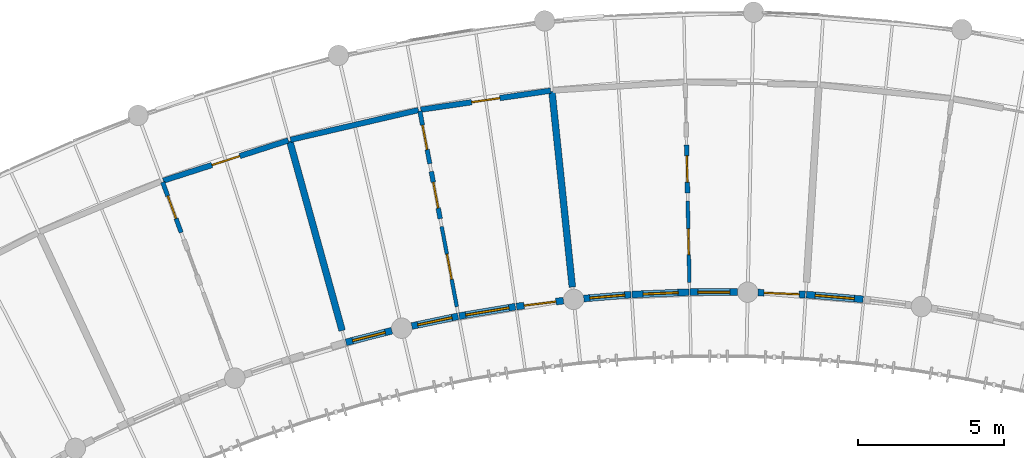
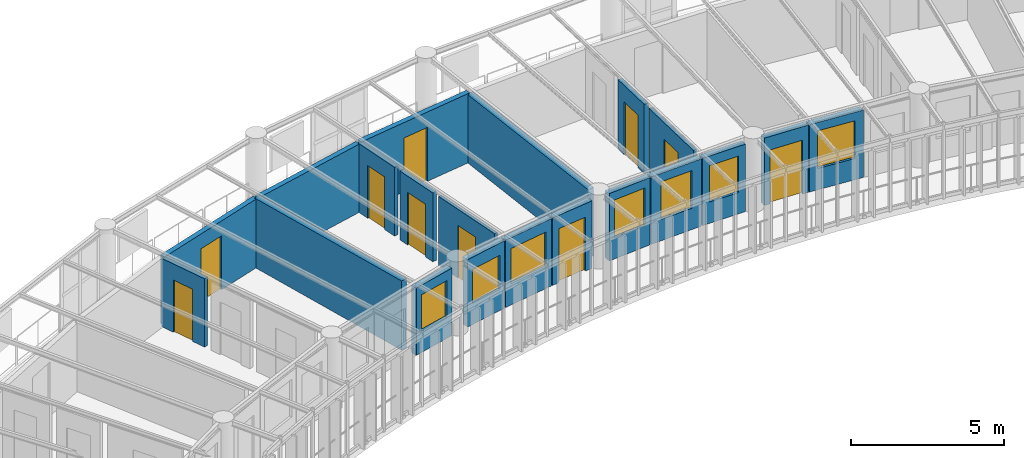
# One storey, part 106 of 137: 20 walls, 10 doors, 7 windows, 17 openings.
"""IFC4 building model written with IfcOpenShell, lengths in metres."""

from ifc_helpers import new_model, si_unit, direction, frame, frame_2d, origin, place, context, subcontext, project, spatial, rectangle, extrude, material, layer, layer_set, type_object, element, fill, save


model = new_model("IFC4")

# Units and contexts
model_context = context("Model", 3, precision=1e-05, world=origin(), true_north=direction((0.0, 1.0)))
body_context = subcontext(model_context, "Body", "Model", "MODEL_VIEW")
ifc_project = project(units=[si_unit("LENGTHUNIT", "METRE"), si_unit("AREAUNIT", "SQUARE_METRE"), si_unit("VOLUMEUNIT", "CUBIC_METRE"), si_unit("PLANEANGLEUNIT", "RADIAN"), si_unit("MASSUNIT", "GRAM", prefix="KILO"), si_unit("POWERUNIT", "WATT"), si_unit("THERMODYNAMICTEMPERATUREUNIT", "KELVIN")], contexts=[model_context])

# Site, building, storey
site_placement = place(None, origin())
site = spatial("IfcSite", under=ifc_project, at=site_placement, CompositionType="ELEMENT")
building_placement = place(site_placement, origin())
building = spatial("IfcBuilding", under=site, at=building_placement, Name="Ruvembo Vaulted Housing Court", CompositionType="ELEMENT")
storey_placement = place(building_placement, frame((0.0, 0.0, 4.5)))
storey = spatial("IfcBuildingStorey", under=building, at=storey_placement, Name="L01", CompositionType="ELEMENT", Elevation=4.5)

# Wall, opening, door
ifc_material_1 = material(Name="Concrete Blockwork 190", Category="masonry")
ifc_layer_1 = layer(ifc_material_1, 0.18994140625, Name="Concrete Blockwork 190")
ifc_layer_set_1 = layer_set([ifc_layer_1], Name="Concrete Blockwork 190")
wall_type_1 = type_object("IfcWallType", Name="WL-CORR-190", PredefinedType="SOLIDWALL", material=ifc_layer_set_1)
wall_1_placement = place(storey_placement, frame((97.962890625, 101.811767578125, 0.0), z_axis=(0.0, 0.0, 1.0), x_axis=(0.95193992138, 0.306284812035, 0.0)))
wall_1 = element("IfcWall", 1, at=wall_1_placement, inside=storey, type_object=wall_type_1, Name="L01 Suite SC3-L01-U2 Entrance WL-INT-L01-00447", PredefinedType="SOLIDWALL", context=body_context, shape_type="SweptSolid", body=[
    extrude(rectangle(XDim=4.501220703125, YDim=0.18994140625, at=frame_2d((2.25048828125, 0.0))), origin(), (0.0, 0.0, 1.0), 2.741943359375),
])
opening_1_placement = place(wall_1_placement, frame((1.750732421875, 0.0, 0.0)))
opening_1 = element("IfcOpeningElement", 2, at=opening_1_placement, cuts=wall_1, Name="Opening FD1", PredefinedType="OPENING", context=body_context, shape_type="SweptSolid", body=[
    extrude(rectangle(XDim=1.0, YDim=2.14990234375, at=frame_2d((0.5, 1.074951171875))), frame((0.0, 0.10498046875, 0.0), z_axis=(0.0, -1.0, 0.0), x_axis=(1.0, 0.0, 0.0)), (0.0, 0.0, 1.0), 0.2099609375),
])
ifc_material_2 = material(Name="FSC Hardwood and Engineered Timber", Category="wood")
door_type_1 = type_object("IfcDoorType", Name="DR-FLAT-1000x2150", OperationType="NOTDEFINED", PredefinedType="DOOR", material=ifc_material_2)
door_1_placement = place(opening_1_placement, origin())
door_1 = element("IfcDoor", 3, at=door_1_placement, inside=storey, type_object=door_type_1, Name="L01 Suite SC3-L01-U2 Entrance Door DR-INT-L01-00240", OperationType="SINGLE_SWING_RIGHT", OverallHeight=2.14990234375, OverallWidth=1.0, PredefinedType="DOOR", context=body_context, shape_type="SweptSolid", body=[
    extrude(rectangle(XDim=1.0, YDim=2.14990234375, at=frame_2d((0.5, 1.074951171875))), frame((0.0, 0.02490234375, 0.0), z_axis=(0.0, -1.0, 0.0), x_axis=(1.0, 0.0, 0.0)), (0.0, 0.0, 1.0), 0.050048828125),
])
fill(opening_1, door_1)

# Wall
wall_2_placement = place(storey_placement, frame((102.324951171875, 103.2119140625, 0.0), z_axis=(0.0, 0.0, 1.0), x_axis=(0.974052809246, 0.226320844821, 0.0)))
element("IfcWall", 4, at=wall_2_placement, inside=storey, type_object=wall_type_1, Name="L01 Suite SC3-L01-U3 Gallery Wall WL-INT-L01-00452", PredefinedType="SOLIDWALL", context=body_context, shape_type="SweptSolid", body=[
    extrude(rectangle(XDim=4.50146484375, YDim=0.18994140625, at=frame_2d((2.250732421875, 0.0))), origin(), (0.0, 0.0, 1.0), 2.721923828125),
])

# Wall, opening, door
wall_3_placement = place(storey_placement, frame((106.7880859375, 104.24560546875, 0.0), z_axis=(0.0, 0.0, 1.0), x_axis=(0.98946769641, 0.14475385232, 0.0)))
wall_3 = element("IfcWall", 5, at=wall_3_placement, inside=storey, type_object=wall_type_1, Name="L01 Suite SC3-L01-U3 Entrance WL-INT-L01-00453", PredefinedType="SOLIDWALL", context=body_context, shape_type="SweptSolid", body=[
    extrude(rectangle(XDim=4.50146484375, YDim=0.18994140625, at=frame_2d((2.250732421875, 0.0))), origin(), (0.0, 0.0, 1.0), 2.761962890625),
])
opening_2_placement = place(wall_3_placement, frame((1.7607421875, 0.0, 0.0)))
opening_2 = element("IfcOpeningElement", 6, at=opening_2_placement, cuts=wall_3, Name="Opening FD2", PredefinedType="OPENING", context=body_context, shape_type="SweptSolid", body=[
    extrude(rectangle(XDim=0.97998046875, YDim=2.14990234375, at=frame_2d((0.489990234375, 1.074951171875))), frame((0.0, 0.10498046875, 0.0), z_axis=(0.0, -1.0, 0.0), x_axis=(1.0, 0.0, 0.0)), (0.0, 0.0, 1.0), 0.2099609375),
])
door_type_2 = type_object("IfcDoorType", Name="DR-FLAT-0980x2150", OperationType="NOTDEFINED", PredefinedType="DOOR", material=ifc_material_2)
door_2_placement = place(opening_2_placement, origin())
door_2 = element("IfcDoor", 7, at=door_2_placement, inside=storey, type_object=door_type_2, Name="L01 Suite SC3-L01-U3 Entrance Door DR-INT-L01-00244", OperationType="SINGLE_SWING_RIGHT", OverallHeight=2.14990234375, OverallWidth=0.97998046875, PredefinedType="DOOR", context=body_context, shape_type="SweptSolid", body=[
    extrude(rectangle(XDim=0.97998046875, YDim=2.14990234375, at=frame_2d((0.489990234375, 1.074951171875))), frame((0.0, 0.02490234375, 0.0), z_axis=(0.0, -1.0, 0.0), x_axis=(1.0, 0.0, 0.0)), (0.0, 0.0, 1.0), 0.050048828125),
])
fill(opening_2, door_2)

# Walls
ifc_material_3 = material(Name="Acoustic Masonry Demising 230", Category="masonry")
ifc_layer_2 = layer(ifc_material_3, 0.22998046875, Name="Acoustic Masonry Demising 230")
ifc_layer_set_2 = layer_set([ifc_layer_2], Name="Acoustic Masonry Demising 230")
wall_type_2 = type_object("IfcWallType", Name="WL-DEM-230", PredefinedType="SOLIDWALL", material=ifc_layer_set_2)
wall_4_placement = place(storey_placement, frame((104.09228515625, 96.672119140625, 0.0), z_axis=(0.0, 0.0, 1.0), x_axis=(-0.266578174631, 0.963813299768, 0.0)))
element("IfcWall", 8, at=wall_4_placement, inside=storey, type_object=wall_type_2, Name="L01 Suite SC3-L01-U2 Demising WL-INT-L01-00451", PredefinedType="SOLIDWALL", context=body_context, shape_type="SweptSolid", body=[
    extrude(rectangle(XDim=6.73583984375, YDim=0.22998046875, at=frame_2d((3.367919921875, 0.0))), origin(), (0.0, 0.0, 1.0), 2.761962890625),
])
wall_5_placement = place(storey_placement, frame((111.98388671875, 98.16357421875, 0.0), z_axis=(0.0, 0.0, 1.0), x_axis=(-0.10362251791, 0.994616696915, 0.0)))
element("IfcWall", 9, at=wall_5_placement, inside=storey, type_object=wall_type_2, Name="L01 Suite SC3-L01-U3 Demising WL-INT-L01-00457", PredefinedType="SOLIDWALL", context=body_context, shape_type="SweptSolid", body=[
    extrude(rectangle(XDim=6.736083984375, YDim=0.22998046875, at=frame_2d((3.3681640625, 0.0))), origin(), (0.0, 0.0, 1.0), 2.721923828125),
])

# Wall, opening, window
ifc_material_4 = material(Name="Rendered Masonry 235", Category="masonry")
ifc_layer_3 = layer(ifc_material_4, 0.235107421875, Name="Rendered Masonry 235")
ifc_layer_set_3 = layer_set([ifc_layer_3], Name="Rendered Masonry 235")
wall_type_3 = type_object("IfcWallType", Name="WL-EXT-235", PredefinedType="STANDARD", material=ifc_layer_set_3)
wall_6_placement = place(storey_placement, frame((104.224609375, 96.268310546875, 0.0), z_axis=(0.0, 0.0, 1.0), x_axis=(0.969152085663, 0.246463455413, 0.0)))
wall_6 = element("IfcWall", 10, at=wall_6_placement, inside=storey, type_object=wall_type_3, Name="Scoop SC3 L01 Concave Balcony Wall 8", PredefinedType="STANDARD", context=body_context, shape_type="SweptSolid", body=[
    extrude(rectangle(XDim=1.62255859375, YDim=0.235107421875, at=frame_2d((0.811279296875, 0.0))), origin(), (0.0, 0.0, 1.0), 2.68408203125),
])
opening_3_placement = place(wall_6_placement, frame((0.236083984375, 0.0, 0.85009765625)))
opening_3 = element("IfcOpeningElement", 11, at=opening_3_placement, cuts=wall_6, Name="Opening W11", PredefinedType="OPENING", context=body_context, shape_type="SweptSolid", body=[
    extrude(rectangle(XDim=1.14990234375, YDim=1.449951171875, at=frame_2d((0.574951171875, 0.72509765625))), frame((0.0, 0.12744140625, 0.0), z_axis=(0.0, -1.0, 0.0), x_axis=(1.0, 0.0, 0.0)), (0.0, 0.0, 1.0), 0.255126953125),
])
ifc_material_5 = material(Name="Double Solar-Control Glazing in Aluminium Frame", Category="aluminium")
window_type_1 = type_object("IfcWindowType", Name="WIN-1150x1450", PartitioningType="SINGLE_PANEL", PredefinedType="WINDOW", material=ifc_material_5)
window_1_placement = place(opening_3_placement, origin())
window_1 = element("IfcWindow", 12, at=window_1_placement, inside=storey, type_object=window_type_1, Name="Scoop SC3 L01 Concave Window 8", OverallHeight=1.449951171875, OverallWidth=1.14990234375, PartitioningType="SINGLE_PANEL", PredefinedType="WINDOW", context=body_context, shape_type="SweptSolid", body=[
    extrude(rectangle(XDim=1.14990234375, YDim=1.449951171875, at=frame_2d((0.574951171875, 0.72509765625))), frame((0.0, 0.030029296875, 0.0), z_axis=(0.0, -1.0, 0.0), x_axis=(1.0, 0.0, 0.0)), (0.0, 0.0, 1.0), 0.06005859375),
])
fill(opening_3, window_1)

wall_7_placement = place(storey_placement, frame((106.478759765625, 96.826416015625, 0.0), z_axis=(0.0, 0.0, 1.0), x_axis=(0.978514642092, 0.206177339229, 0.0)))
wall_7 = element("IfcWall", 13, at=wall_7_placement, inside=storey, type_object=wall_type_3, Name="Scoop SC3 L01 Concave Balcony Wall 9", PredefinedType="STANDARD", context=body_context, shape_type="SweptSolid", body=[
    extrude(rectangle(XDim=1.622314453125, YDim=0.235107421875, at=frame_2d((0.81103515625, 0.0))), origin(), (0.0, 0.0, 1.0), 2.68408203125),
])
opening_4_placement = place(wall_7_placement, frame((0.211181640625, 0.0, 0.85009765625)))
opening_4 = element("IfcOpeningElement", 14, at=opening_4_placement, cuts=wall_7, Name="Opening W12", PredefinedType="OPENING", context=body_context, shape_type="SweptSolid", body=[
    extrude(rectangle(XDim=1.199951171875, YDim=1.35009765625, at=frame_2d((0.60009765625, 0.675048828125))), frame((0.0, 0.12744140625, 0.0), z_axis=(0.0, -1.0, 0.0), x_axis=(1.0, 0.0, 0.0)), (0.0, 0.0, 1.0), 0.255126953125),
])
window_type_2 = type_object("IfcWindowType", Name="WIN-1200x1350", PartitioningType="SINGLE_PANEL", PredefinedType="WINDOW", material=ifc_material_5)
window_2_placement = place(opening_4_placement, origin())
window_2 = element("IfcWindow", 15, at=window_2_placement, inside=storey, type_object=window_type_2, Name="Scoop SC3 L01 Concave Window 9", OverallHeight=1.35009765625, OverallWidth=1.199951171875, PartitioningType="SINGLE_PANEL", PredefinedType="WINDOW", context=body_context, shape_type="SweptSolid", body=[
    extrude(rectangle(XDim=1.199951171875, YDim=1.35009765625, at=frame_2d((0.60009765625, 0.675048828125))), frame((0.0, 0.030029296875, 0.0), z_axis=(0.0, -1.0, 0.0), x_axis=(1.0, 0.0, 0.0)), (0.0, 0.0, 1.0), 0.06005859375),
])
fill(opening_4, window_2)

wall_8_placement = place(storey_placement, frame((108.10546875, 97.168212890625, 0.0), z_axis=(0.0, 0.0, 1.0), x_axis=(0.986241418229, 0.165311418144, 0.0)))
wall_8 = element("IfcWall", 16, at=wall_8_placement, inside=storey, type_object=wall_type_3, Name="Scoop SC3 L01 Concave Balcony Wall 10", PredefinedType="STANDARD", context=body_context, shape_type="SweptSolid", body=[
    extrude(rectangle(XDim=1.952392578125, YDim=0.235107421875, at=frame_2d((0.97607421875, 0.0))), origin(), (0.0, 0.0, 1.0), 2.68408203125),
])
opening_5_placement = place(wall_8_placement, frame((0.226318359375, 0.0, 0.85009765625)))
opening_5 = element("IfcOpeningElement", 17, at=opening_5_placement, cuts=wall_8, Name="Opening W18", PredefinedType="OPENING", context=body_context, shape_type="SweptSolid", body=[
    extrude(rectangle(XDim=1.5, YDim=1.39990234375, at=frame_2d((0.75, 0.699951171875))), frame((0.0, 0.12744140625, 0.0), z_axis=(0.0, -1.0, 0.0), x_axis=(1.0, 0.0, 0.0)), (0.0, 0.0, 1.0), 0.255126953125),
])
window_type_3 = type_object("IfcWindowType", Name="WIN-1500x1400", PartitioningType="SINGLE_PANEL", PredefinedType="WINDOW", material=ifc_material_5)
window_3_placement = place(opening_5_placement, origin())
window_3 = element("IfcWindow", 18, at=window_3_placement, inside=storey, type_object=window_type_3, Name="Scoop SC3 L01 Concave Window 10", OverallHeight=1.39990234375, OverallWidth=1.5, PartitioningType="SINGLE_PANEL", PredefinedType="WINDOW", context=body_context, shape_type="SweptSolid", body=[
    extrude(rectangle(XDim=1.5, YDim=1.39990234375, at=frame_2d((0.75, 0.699951171875))), frame((0.0, 0.030029296875, 0.0), z_axis=(0.0, -1.0, 0.0), x_axis=(1.0, 0.0, 0.0)), (0.0, 0.0, 1.0), 0.06005859375),
])
fill(opening_5, window_3)

# Wall, opening, door
wall_9_placement = place(storey_placement, frame((110.070556640625, 97.496826171875, 0.0), z_axis=(0.0, 0.0, 1.0), x_axis=(0.992263980046, 0.124145857376, 0.0)))
wall_9 = element("IfcWall", 19, at=wall_9_placement, inside=storey, type_object=wall_type_3, Name="Scoop SC3 L01 Concave Balcony Wall 11", PredefinedType="STANDARD", context=body_context, shape_type="SweptSolid", body=[
    extrude(rectangle(XDim=1.622314453125, YDim=0.235107421875, at=frame_2d((0.81103515625, 0.0))), origin(), (0.0, 0.0, 1.0), 2.68408203125),
])
opening_6_placement = place(wall_9_placement, frame((0.26123046875, 0.0, 0.0)))
opening_6 = element("IfcOpeningElement", 20, at=opening_6_placement, cuts=wall_9, Name="Opening BD3", PredefinedType="OPENING", context=body_context, shape_type="SweptSolid", body=[
    extrude(rectangle(XDim=1.10009765625, YDim=2.14990234375, at=frame_2d((0.550048828125, 1.074951171875))), frame((0.0, 0.12744140625, 0.0), z_axis=(0.0, -1.0, 0.0), x_axis=(1.0, 0.0, 0.0)), (0.0, 0.0, 1.0), 0.255126953125),
])
ifc_material_6 = material(Name="Thermally Broken Glazed Aluminium", Category="aluminium")
door_type_3 = type_object("IfcDoorType", Name="DR-BAL-1100x2150", OperationType="NOTDEFINED", PredefinedType="DOOR", material=ifc_material_6)
door_3_placement = place(opening_6_placement, frame((1.10009765625, 0.0, 0.0), z_axis=(0.0, 0.0, 1.0), x_axis=(-1.0, 0.0, 0.0)))
door_3 = element("IfcDoor", 21, at=door_3_placement, inside=storey, type_object=door_type_3, Name="Scoop SC3 L01 Balcony Door 11", OperationType="SINGLE_SWING_LEFT", OverallHeight=2.14990234375, OverallWidth=1.10009765625, PredefinedType="DOOR", context=body_context, shape_type="SweptSolid", body=[
    extrude(rectangle(XDim=1.10009765625, YDim=2.14990234375, at=frame_2d((0.550048828125, 1.074951171875))), frame((0.0, 0.02490234375, 0.0), z_axis=(0.0, -1.0, 0.0), x_axis=(1.0, 0.0, 0.0)), (0.0, 0.0, 1.0), 0.050048828125),
])
fill(opening_6, door_3)

# Wall, opening, window
wall_10_placement = place(storey_placement, frame((112.37646484375, 97.770751953125, 0.0), z_axis=(0.0, 0.0, 1.0), x_axis=(0.996557163732, 0.082908500259, 0.0)))
wall_10 = element("IfcWall", 22, at=wall_10_placement, inside=storey, type_object=wall_type_3, Name="Scoop SC3 L01 Concave Balcony Wall 12", PredefinedType="STANDARD", context=body_context, shape_type="SweptSolid", body=[
    extrude(rectangle(XDim=1.62255859375, YDim=0.235107421875, at=frame_2d((0.811279296875, 0.0))), origin(), (0.0, 0.0, 1.0), 2.68408203125),
])
opening_7_placement = place(wall_10_placement, frame((0.211181640625, 0.0, 0.85009765625)))
opening_7 = element("IfcOpeningElement", 23, at=opening_7_placement, cuts=wall_10, Name="Opening W14", PredefinedType="OPENING", context=body_context, shape_type="SweptSolid", body=[
    extrude(rectangle(XDim=1.199951171875, YDim=1.5, at=frame_2d((0.60009765625, 0.75))), frame((0.0, 0.12744140625, 0.0), z_axis=(0.0, -1.0, 0.0), x_axis=(1.0, 0.0, 0.0)), (0.0, 0.0, 1.0), 0.255126953125),
])
window_type_4 = type_object("IfcWindowType", Name="WIN-1200x1500", PartitioningType="SINGLE_PANEL", PredefinedType="WINDOW", material=ifc_material_5)
window_4_placement = place(opening_7_placement, origin())
window_4 = element("IfcWindow", 24, at=window_4_placement, inside=storey, type_object=window_type_4, Name="Scoop SC3 L01 Concave Window 12", OverallHeight=1.5, OverallWidth=1.199951171875, PartitioningType="SINGLE_PANEL", PredefinedType="WINDOW", context=body_context, shape_type="SweptSolid", body=[
    extrude(rectangle(XDim=1.199951171875, YDim=1.5, at=frame_2d((0.60009765625, 0.75))), frame((0.0, 0.030029296875, 0.0), z_axis=(0.0, -1.0, 0.0), x_axis=(1.0, 0.0, 0.0)), (0.0, 0.0, 1.0), 0.06005859375),
])
fill(opening_7, window_4)

wall_11_placement = place(storey_placement, frame((114.033203125, 97.90771484375, 0.0), z_axis=(0.0, 0.0, 1.0), x_axis=(0.999132639597, 0.041640947307, 0.0)))
wall_11 = element("IfcWall", 25, at=wall_11_placement, inside=storey, type_object=wall_type_3, Name="Scoop SC3 L01 Concave Balcony Wall 13", PredefinedType="STANDARD", context=body_context, shape_type="SweptSolid", body=[
    extrude(rectangle(XDim=1.952392578125, YDim=0.235107421875, at=frame_2d((0.97607421875, 0.0))), origin(), (0.0, 0.0, 1.0), 2.68408203125),
])
opening_8_placement = place(wall_11_placement, frame((0.376220703125, 0.0, 0.85009765625)))
opening_8 = element("IfcOpeningElement", 26, at=opening_8_placement, cuts=wall_11, Name="Opening W14", PredefinedType="OPENING", context=body_context, shape_type="SweptSolid", body=[
    extrude(rectangle(XDim=1.199951171875, YDim=1.5, at=frame_2d((0.60009765625, 0.75))), frame((0.0, 0.12744140625, 0.0), z_axis=(0.0, -1.0, 0.0), x_axis=(1.0, 0.0, 0.0)), (0.0, 0.0, 1.0), 0.255126953125),
])
window_5_placement = place(opening_8_placement, origin())
window_5 = element("IfcWindow", 27, at=window_5_placement, inside=storey, type_object=window_type_4, Name="Scoop SC3 L01 Concave Window 13", OverallHeight=1.5, OverallWidth=1.199951171875, PartitioningType="SINGLE_PANEL", PredefinedType="WINDOW", context=body_context, shape_type="SweptSolid", body=[
    extrude(rectangle(XDim=1.199951171875, YDim=1.5, at=frame_2d((0.60009765625, 0.75))), frame((0.0, 0.030029296875, 0.0), z_axis=(0.0, -1.0, 0.0), x_axis=(1.0, 0.0, 0.0)), (0.0, 0.0, 1.0), 0.06005859375),
])
fill(opening_8, window_5)

wall_12_placement = place(storey_placement, frame((116.023681640625, 97.98974609375, 0.0), z_axis=(0.0, 0.0, 1.0), x_axis=(1.0, 0.0, 0.0)))
wall_12 = element("IfcWall", 28, at=wall_12_placement, inside=storey, type_object=wall_type_3, Name="Scoop SC3 L01 Concave Balcony Wall 14", PredefinedType="STANDARD", context=body_context, shape_type="SweptSolid", body=[
    extrude(rectangle(XDim=1.62255859375, YDim=0.235107421875, at=frame_2d((0.811279296875, 0.0))), origin(), (0.0, 0.0, 1.0), 2.68408203125),
])
opening_9_placement = place(wall_12_placement, frame((0.26123046875, 0.0, 0.85009765625)))
opening_9 = element("IfcOpeningElement", 29, at=opening_9_placement, cuts=wall_12, Name="Opening W10", PredefinedType="OPENING", context=body_context, shape_type="SweptSolid", body=[
    extrude(rectangle(XDim=1.10009765625, YDim=1.449951171875, at=frame_2d((0.550048828125, 0.72509765625))), frame((0.0, 0.12744140625, 0.0), z_axis=(0.0, -1.0, 0.0), x_axis=(1.0, 0.0, 0.0)), (0.0, 0.0, 1.0), 0.255126953125),
])
window_type_5 = type_object("IfcWindowType", Name="WIN-1100x1450", PartitioningType="SINGLE_PANEL", PredefinedType="WINDOW", material=ifc_material_5)
window_6_placement = place(opening_9_placement, origin())
window_6 = element("IfcWindow", 30, at=window_6_placement, inside=storey, type_object=window_type_5, Name="Scoop SC3 L01 Concave Window 14", OverallHeight=1.449951171875, OverallWidth=1.10009765625, PartitioningType="SINGLE_PANEL", PredefinedType="WINDOW", context=body_context, shape_type="SweptSolid", body=[
    extrude(rectangle(XDim=1.10009765625, YDim=1.449951171875, at=frame_2d((0.550048828125, 0.72509765625))), frame((0.0, 0.030029296875, 0.0), z_axis=(0.0, -1.0, 0.0), x_axis=(1.0, 0.0, 0.0)), (0.0, 0.0, 1.0), 0.06005859375),
])
fill(opening_9, window_6)

# Wall, opening, door
wall_13_placement = place(storey_placement, frame((118.345947265625, 97.97509765625, 0.0), z_axis=(0.0, 0.0, 1.0), x_axis=(0.999136981031, -0.041536648104, 0.0)))
wall_13 = element("IfcWall", 31, at=wall_13_placement, inside=storey, type_object=wall_type_3, Name="Scoop SC3 L01 Concave Balcony Wall 15", PredefinedType="STANDARD", context=body_context, shape_type="SweptSolid", body=[
    extrude(rectangle(XDim=1.622314453125, YDim=0.235107421875, at=frame_2d((0.81103515625, 0.0))), origin(), (0.0, 0.0, 1.0), 2.68408203125),
])
opening_10_placement = place(wall_13_placement, frame((0.211181640625, 0.0, 0.0)))
opening_10 = element("IfcOpeningElement", 32, at=opening_10_placement, cuts=wall_13, Name="Opening BD2", PredefinedType="OPENING", context=body_context, shape_type="SweptSolid", body=[
    extrude(rectangle(XDim=1.199951171875, YDim=2.14990234375, at=frame_2d((0.60009765625, 1.074951171875))), frame((0.0, 0.12744140625, 0.0), z_axis=(0.0, -1.0, 0.0), x_axis=(1.0, 0.0, 0.0)), (0.0, 0.0, 1.0), 0.255126953125),
])
door_type_4 = type_object("IfcDoorType", Name="DR-BAL-1200x2150", OperationType="NOTDEFINED", PredefinedType="DOOR", material=ifc_material_6)
door_4_placement = place(opening_10_placement, frame((1.199951171875, 0.0, 0.0), z_axis=(0.0, 0.0, 1.0), x_axis=(-1.0, 0.0, 0.0)))
door_4 = element("IfcDoor", 33, at=door_4_placement, inside=storey, type_object=door_type_4, Name="Scoop SC3 L01 Balcony Door 15", OperationType="SINGLE_SWING_RIGHT", OverallHeight=2.14990234375, OverallWidth=1.199951171875, PredefinedType="DOOR", context=body_context, shape_type="SweptSolid", body=[
    extrude(rectangle(XDim=1.199951171875, YDim=2.14990234375, at=frame_2d((0.60009765625, 1.074951171875))), frame((0.0, 0.02490234375, 0.0), z_axis=(0.0, -1.0, 0.0), x_axis=(1.0, 0.0, 0.0)), (0.0, 0.0, 1.0), 0.050048828125),
])
fill(opening_10, door_4)

# Wall, opening, window
wall_14_placement = place(storey_placement, frame((120.006591796875, 97.9052734375, 0.0), z_axis=(0.0, 0.0, 1.0), x_axis=(0.996557820409, -0.082900606641, 0.0)))
wall_14 = element("IfcWall", 34, at=wall_14_placement, inside=storey, type_object=wall_type_3, Name="Scoop SC3 L01 Concave Balcony Wall 16", PredefinedType="STANDARD", context=body_context, shape_type="SweptSolid", body=[
    extrude(rectangle(XDim=1.95263671875, YDim=0.235107421875, at=frame_2d((0.976318359375, 0.0))), origin(), (0.0, 0.0, 1.0), 2.68408203125),
])
opening_11_placement = place(wall_14_placement, frame((0.30126953125, 0.0, 0.85009765625)))
opening_11 = element("IfcOpeningElement", 35, at=opening_11_placement, cuts=wall_14, Name="Opening W16", PredefinedType="OPENING", context=body_context, shape_type="SweptSolid", body=[
    extrude(rectangle(XDim=1.35009765625, YDim=1.5, at=frame_2d((0.675048828125, 0.75))), frame((0.0, 0.12744140625, 0.0), z_axis=(0.0, -1.0, 0.0), x_axis=(1.0, 0.0, 0.0)), (0.0, 0.0, 1.0), 0.255126953125),
])
window_type_6 = type_object("IfcWindowType", Name="WIN-1350x1500", PartitioningType="SINGLE_PANEL", PredefinedType="WINDOW", material=ifc_material_5)
window_7_placement = place(opening_11_placement, origin())
window_7 = element("IfcWindow", 36, at=window_7_placement, inside=storey, type_object=window_type_6, Name="Scoop SC3 L01 Concave Window 16", OverallHeight=1.5, OverallWidth=1.35009765625, PartitioningType="SINGLE_PANEL", PredefinedType="WINDOW", context=body_context, shape_type="SweptSolid", body=[
    extrude(rectangle(XDim=1.35009765625, YDim=1.5, at=frame_2d((0.675048828125, 0.75))), frame((0.0, 0.030029296875, 0.0), z_axis=(0.0, -1.0, 0.0), x_axis=(1.0, 0.0, 0.0)), (0.0, 0.0, 1.0), 0.06005859375),
])
fill(opening_11, window_7)

# Wall, opening, door
ifc_material_7 = material(Name="Plasterboard Stud Partition 125", Category="gypsum")
ifc_layer_4 = layer(ifc_material_7, 0.125, Name="Plasterboard Stud Partition 125")
ifc_layer_set_4 = layer_set([ifc_layer_4], Name="Plasterboard Stud Partition 125")
wall_type_4 = type_object("IfcWallType", Name="WL-PART-125", PredefinedType="PARTITIONING", material=ifc_layer_set_4)
wall_15_placement = place(storey_placement, frame((108.02490234375, 97.4873046875, 0.0), z_axis=(0.0, 0.0, 1.0), x_axis=(-0.185725576604, 0.982601653874, 0.0)))
wall_15 = element("IfcWall", 37, at=wall_15_placement, inside=storey, type_object=wall_type_4, Name="L01 Suite SC3-L01-U3 Bedroom WL-INT-L01-00454", PredefinedType="PARTITIONING", context=body_context, shape_type="SweptSolid", body=[
    extrude(rectangle(XDim=2.800048828125, YDim=0.125, at=frame_2d((1.39990234375, 0.0))), origin(), (0.0, 0.0, 1.0), 2.741943359375),
])
opening_12_placement = place(wall_15_placement, frame((0.9599609375, 0.0, 0.0)))
opening_12 = element("IfcOpeningElement", 38, at=opening_12_placement, cuts=wall_15, Name="Opening ID3", PredefinedType="OPENING", context=body_context, shape_type="SweptSolid", body=[
    extrude(rectangle(XDim=0.8798828125, YDim=2.10009765625, at=frame_2d((0.43994140625, 1.050048828125))), frame((0.0, 0.072509765625, 0.0), z_axis=(0.0, -1.0, 0.0), x_axis=(1.0, 0.0, 0.0)), (0.0, 0.0, 1.0), 0.14501953125),
])
door_type_5 = type_object("IfcDoorType", Name="DR-ROOM-0880x2100", OperationType="NOTDEFINED", PredefinedType="DOOR", material=ifc_material_2)
door_5_placement = place(opening_12_placement, origin())
door_5 = element("IfcDoor", 39, at=door_5_placement, inside=storey, type_object=door_type_5, Name="L01 Suite SC3-L01-U3 Bedroom Door DR-INT-L01-00245", OperationType="SINGLE_SWING_LEFT", OverallHeight=2.10009765625, OverallWidth=0.8798828125, PredefinedType="DOOR", context=body_context, shape_type="SweptSolid", body=[
    extrude(rectangle(XDim=0.8798828125, YDim=2.10009765625, at=frame_2d((0.43994140625, 1.050048828125))), frame((0.0, 0.02490234375, 0.0), z_axis=(0.0, -1.0, 0.0), x_axis=(1.0, 0.0, 0.0)), (0.0, 0.0, 1.0), 0.050048828125),
])
fill(opening_12, door_5)

wall_16_placement = place(storey_placement, frame((115.9970703125, 98.317626953125, 0.0), z_axis=(0.0, 0.0, 1.0), x_axis=(-0.02075255058, 0.999784642633, 0.0)))
wall_16 = element("IfcWall", 40, at=wall_16_placement, inside=storey, type_object=wall_type_4, Name="L01 Suite SC3-L01-U4 Bedroom WL-INT-L01-00460", PredefinedType="PARTITIONING", context=body_context, shape_type="SweptSolid", body=[
    extrude(rectangle(XDim=2.7998046875, YDim=0.125, at=frame_2d((1.39990234375, 0.0))), origin(), (0.0, 0.0, 1.0), 2.761962890625),
])
opening_13_placement = place(wall_16_placement, frame((0.9599609375, 0.0, 0.0)))
opening_13 = element("IfcOpeningElement", 41, at=opening_13_placement, cuts=wall_16, Name="Opening ID3", PredefinedType="OPENING", context=body_context, shape_type="SweptSolid", body=[
    extrude(rectangle(XDim=0.8798828125, YDim=2.10009765625, at=frame_2d((0.43994140625, 1.050048828125))), frame((0.0, 0.072509765625, 0.0), z_axis=(0.0, -1.0, 0.0), x_axis=(1.0, 0.0, 0.0)), (0.0, 0.0, 1.0), 0.14501953125),
])
door_6_placement = place(opening_13_placement, origin())
door_6 = element("IfcDoor", 42, at=door_6_placement, inside=storey, type_object=door_type_5, Name="L01 Suite SC3-L01-U4 Bedroom Door DR-INT-L01-00249", OperationType="SINGLE_SWING_LEFT", OverallHeight=2.10009765625, OverallWidth=0.8798828125, PredefinedType="DOOR", context=body_context, shape_type="SweptSolid", body=[
    extrude(rectangle(XDim=0.8798828125, YDim=2.10009765625, at=frame_2d((0.43994140625, 1.050048828125))), frame((0.0, 0.02490234375, 0.0), z_axis=(0.0, -1.0, 0.0), x_axis=(1.0, 0.0, 0.0)), (0.0, 0.0, 1.0), 0.050048828125),
])
fill(opening_13, door_6)

ifc_material_8 = material(Name="Moisture-Resistant Wet Partition 150", Category="gypsum")
ifc_layer_5 = layer(ifc_material_8, 0.14990234375, Name="Moisture-Resistant Wet Partition 150")
ifc_layer_set_5 = layer_set([ifc_layer_5], Name="Moisture-Resistant Wet Partition 150")
wall_type_5 = type_object("IfcWallType", Name="WL-PART-150", PredefinedType="PARTITIONING", material=ifc_layer_set_5)
wall_17_placement = place(storey_placement, frame((98.574462890625, 100.03515625, 0.0), z_axis=(0.0, 0.0, 1.0), x_axis=(-0.345490154584, 0.938422374566, 0.0)))
wall_17 = element("IfcWall", 43, at=wall_17_placement, inside=storey, type_object=wall_type_5, Name="L01 Suite SC3-L01-U2 Bathroom WL-INT-L01-00450", PredefinedType="PARTITIONING", context=body_context, shape_type="SweptSolid", body=[
    extrude(rectangle(XDim=1.840087890625, YDim=0.14990234375, at=frame_2d((0.919921875, 0.0))), origin(), (0.0, 0.0, 1.0), 2.721923828125),
])
opening_14_placement = place(wall_17_placement, frame((0.510009765625, 0.0, 0.0)))
opening_14 = element("IfcOpeningElement", 44, at=opening_14_placement, cuts=wall_17, Name="Opening ID4", PredefinedType="OPENING", context=body_context, shape_type="SweptSolid", body=[
    extrude(rectangle(XDim=0.820068359375, YDim=2.080078125, at=frame_2d((0.41015625, 1.0400390625))), frame((0.0, 0.0849609375, 0.0), z_axis=(0.0, -1.0, 0.0), x_axis=(1.0, 0.0, 0.0)), (0.0, 0.0, 1.0), 0.169921875),
])
door_type_6 = type_object("IfcDoorType", Name="DR-WET-0820x2080", OperationType="NOTDEFINED", PredefinedType="DOOR", material=ifc_material_2)
door_7_placement = place(opening_14_placement, origin())
door_7 = element("IfcDoor", 45, at=door_7_placement, inside=storey, type_object=door_type_6, Name="L01 Suite SC3-L01-U2 Bathroom Door DR-INT-L01-00243", OperationType="SINGLE_SWING_LEFT", OverallHeight=2.080078125, OverallWidth=0.820068359375, PredefinedType="DOOR", context=body_context, shape_type="SweptSolid", body=[
    extrude(rectangle(XDim=0.820068359375, YDim=2.080078125, at=frame_2d((0.41015625, 1.0400390625))), frame((0.0, 0.02490234375, 0.0), z_axis=(0.0, -1.0, 0.0), x_axis=(1.0, 0.0, 0.0)), (0.0, 0.0, 1.0), 0.050048828125),
])
fill(opening_14, door_7)

wall_18_placement = place(storey_placement, frame((107.097900390625, 102.392333984375, 0.0), z_axis=(0.0, 0.0, 1.0), x_axis=(-0.185746265255, 0.982597743201, 0.0)))
wall_18 = element("IfcWall", 46, at=wall_18_placement, inside=storey, type_object=wall_type_5, Name="L01 Suite SC3-L01-U3 Bathroom WL-INT-L01-00456", PredefinedType="PARTITIONING", context=body_context, shape_type="SweptSolid", body=[
    extrude(rectangle(XDim=1.840087890625, YDim=0.14990234375, at=frame_2d((0.919921875, 0.0))), origin(), (0.0, 0.0, 1.0), 2.741943359375),
])
opening_15_placement = place(wall_18_placement, frame((0.4951171875, 0.0, 0.0)))
opening_15 = element("IfcOpeningElement", 47, at=opening_15_placement, cuts=wall_18, Name="Opening ID2", PredefinedType="OPENING", context=body_context, shape_type="SweptSolid", body=[
    extrude(rectangle(XDim=0.85009765625, YDim=2.10009765625, at=frame_2d((0.425048828125, 1.050048828125))), frame((0.0, 0.0849609375, 0.0), z_axis=(0.0, -1.0, 0.0), x_axis=(1.0, 0.0, 0.0)), (0.0, 0.0, 1.0), 0.169921875),
])
door_type_7 = type_object("IfcDoorType", Name="DR-WET-0850x2100", OperationType="NOTDEFINED", PredefinedType="DOOR", material=ifc_material_2)
door_8_placement = place(opening_15_placement, origin())
door_8 = element("IfcDoor", 48, at=door_8_placement, inside=storey, type_object=door_type_7, Name="L01 Suite SC3-L01-U3 Bathroom Door DR-INT-L01-00247", OperationType="SINGLE_SWING_LEFT", OverallHeight=2.10009765625, OverallWidth=0.85009765625, PredefinedType="DOOR", context=body_context, shape_type="SweptSolid", body=[
    extrude(rectangle(XDim=0.85009765625, YDim=2.10009765625, at=frame_2d((0.425048828125, 1.050048828125))), frame((0.0, 0.02490234375, 0.0), z_axis=(0.0, -1.0, 0.0), x_axis=(1.0, 0.0, 0.0)), (0.0, 0.0, 1.0), 0.050048828125),
])
fill(opening_15, door_8)

ifc_material_9 = material(Name="Acoustic Service Chase Wall 160", Category="gypsum")
ifc_layer_6 = layer(ifc_material_9, 0.159912109375, Name="Acoustic Service Chase Wall 160")
ifc_layer_set_6 = layer_set([ifc_layer_6], Name="Acoustic Service Chase Wall 160")
wall_type_6 = type_object("IfcWallType", Name="WL-PLUMB-160", PredefinedType="PLUMBINGWALL", material=ifc_layer_set_6)
wall_19_placement = place(storey_placement, frame((107.454345703125, 100.505859375, 0.0), z_axis=(0.0, 0.0, 1.0), x_axis=(-0.185764109712, 0.98259436979, 0.0)))
wall_19 = element("IfcWall", 49, at=wall_19_placement, inside=storey, type_object=wall_type_6, Name="L01 Suite SC3-L01-U3 Kitchen WL-INT-L01-00455", PredefinedType="PLUMBINGWALL", context=body_context, shape_type="SweptSolid", body=[
    extrude(rectangle(XDim=1.64794921875, YDim=0.159912109375, at=frame_2d((0.823974609375, 0.0))), origin(), (0.0, 0.0, 1.0), 2.741943359375),
])
opening_16_placement = place(wall_19_placement, frame((0.3740234375, 0.0, 0.0)))
opening_16 = element("IfcOpeningElement", 50, at=opening_16_placement, cuts=wall_19, Name="Opening ID1", PredefinedType="OPENING", context=body_context, shape_type="SweptSolid", body=[
    extrude(rectangle(XDim=0.89990234375, YDim=2.10009765625, at=frame_2d((0.449951171875, 1.050048828125))), frame((0.0, 0.08984375, 0.0), z_axis=(0.0, -1.0, 0.0), x_axis=(1.0, 0.0, 0.0)), (0.0, 0.0, 1.0), 0.179931640625),
])
door_type_8 = type_object("IfcDoorType", Name="DR-ROOM-0900x2100", OperationType="NOTDEFINED", PredefinedType="DOOR", material=ifc_material_2)
door_9_placement = place(opening_16_placement, origin())
door_9 = element("IfcDoor", 51, at=door_9_placement, inside=storey, type_object=door_type_8, Name="L01 Suite SC3-L01-U3 Kitchen Door DR-INT-L01-00246", OperationType="SINGLE_SWING_RIGHT", OverallHeight=2.10009765625, OverallWidth=0.89990234375, PredefinedType="DOOR", context=body_context, shape_type="SweptSolid", body=[
    extrude(rectangle(XDim=0.89990234375, YDim=2.10009765625, at=frame_2d((0.449951171875, 1.050048828125))), frame((0.0, 0.02490234375, 0.0), z_axis=(0.0, -1.0, 0.0), x_axis=(1.0, 0.0, 0.0)), (0.0, 0.0, 1.0), 0.050048828125),
])
fill(opening_16, door_9)

wall_20_placement = place(storey_placement, frame((115.933349609375, 101.388916015625, 0.0), z_axis=(0.0, 0.0, 1.0), x_axis=(-0.020887426075, 0.999781833918, 0.0)))
wall_20 = element("IfcWall", 52, at=wall_20_placement, inside=storey, type_object=wall_type_6, Name="L01 Suite SC3-L01-U4 Kitchen WL-INT-L01-00461", PredefinedType="PLUMBINGWALL", context=body_context, shape_type="SweptSolid", body=[
    extrude(rectangle(XDim=1.64794921875, YDim=0.159912109375, at=frame_2d((0.823974609375, 0.0))), origin(), (0.0, 0.0, 1.0), 2.761962890625),
])
opening_17_placement = place(wall_20_placement, frame((0.3740234375, 0.0, 0.0)))
opening_17 = element("IfcOpeningElement", 53, at=opening_17_placement, cuts=wall_20, Name="Opening ID1", PredefinedType="OPENING", context=body_context, shape_type="SweptSolid", body=[
    extrude(rectangle(XDim=0.89990234375, YDim=2.10009765625, at=frame_2d((0.449951171875, 1.050048828125))), frame((0.0, 0.08984375, 0.0), z_axis=(0.0, -1.0, 0.0), x_axis=(1.0, 0.0, 0.0)), (0.0, 0.0, 1.0), 0.179931640625),
])
door_10_placement = place(opening_17_placement, origin())
door_10 = element("IfcDoor", 54, at=door_10_placement, inside=storey, type_object=door_type_8, Name="L01 Suite SC3-L01-U4 Kitchen Door DR-INT-L01-00250", OperationType="SINGLE_SWING_RIGHT", OverallHeight=2.10009765625, OverallWidth=0.89990234375, PredefinedType="DOOR", context=body_context, shape_type="SweptSolid", body=[
    extrude(rectangle(XDim=0.89990234375, YDim=2.10009765625, at=frame_2d((0.449951171875, 1.050048828125))), frame((0.0, 0.02490234375, 0.0), z_axis=(0.0, -1.0, 0.0), x_axis=(1.0, 0.0, 0.0)), (0.0, 0.0, 1.0), 0.050048828125),
])
fill(opening_17, door_10)

save(model, "model.ifc")
